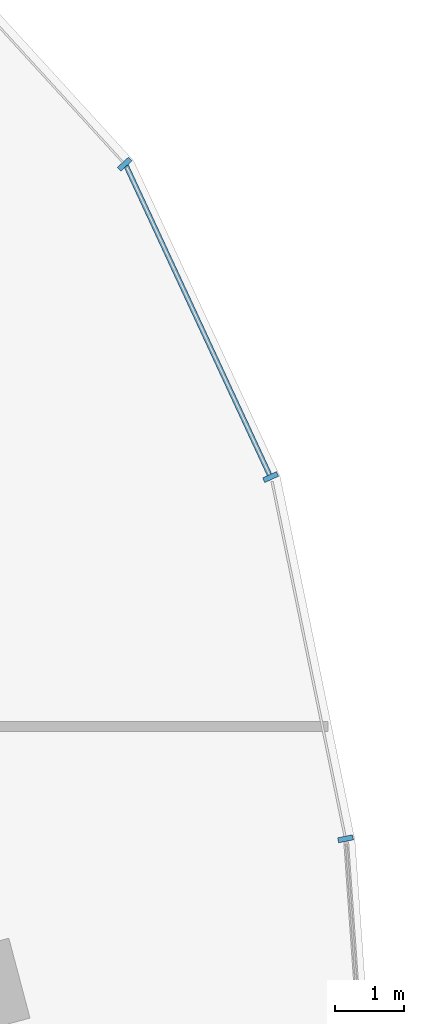
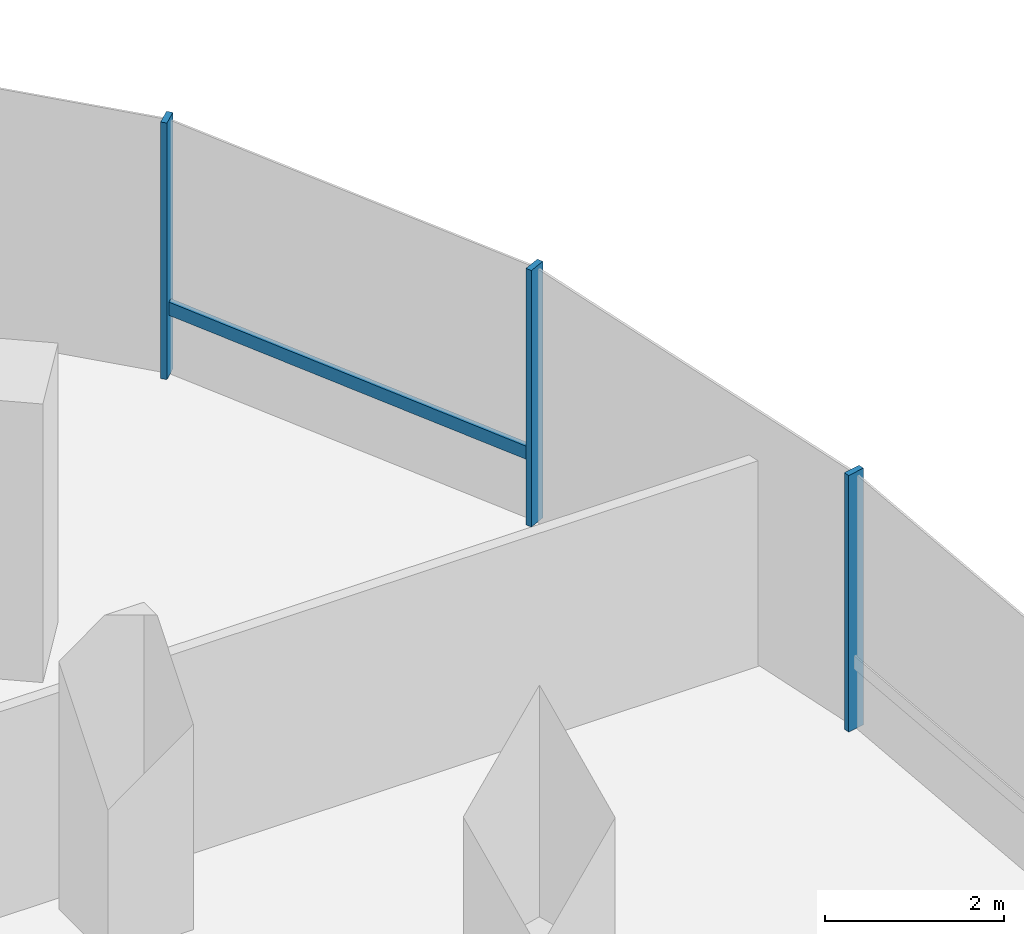
# One storey, part 8 of 21: 4 members, 1 element without a shape of its own.
"""IFC4 building model written with IfcOpenShell, lengths in metres."""

from ifc_helpers import new_model, si_unit, direction, frame, origin, origin_2d, place, context, subcontext, project, spatial, rectangle, extrude, material, material_profile, profile_set, type_object, element, aggregate, save


model = new_model("IFC4")

# Units and contexts
model_context = context("Model", 3, precision=1e-05, world=origin(), true_north=direction((0.0, 1.0)))
body_context = subcontext(model_context, "Body", "Model", "MODEL_VIEW")
ifc_project = project(units=[si_unit("LENGTHUNIT", "METRE"), si_unit("AREAUNIT", "SQUARE_METRE"), si_unit("VOLUMEUNIT", "CUBIC_METRE"), si_unit("PLANEANGLEUNIT", "RADIAN"), si_unit("MASSUNIT", "GRAM", prefix="KILO"), si_unit("THERMODYNAMICTEMPERATUREUNIT", "KELVIN"), si_unit("POWERUNIT", "WATT")], contexts=[model_context])

# Site, building, storey
site_placement = place(None, origin())
site = spatial("IfcSite", under=ifc_project, at=site_placement, CompositionType="ELEMENT")
building_placement = place(site_placement, origin())
building = spatial("IfcBuilding", under=site, at=building_placement, Name="Cundina Bronze Exchange", CompositionType="ELEMENT")
storey_placement = place(building_placement, frame((0.0, 0.0, 54.39990234375)))
storey = spatial("IfcBuildingStorey", under=building, at=storey_placement, Name="L13", CompositionType="ELEMENT", Elevation=54.39990234375)

# Curtain wall, members
ifc_material = material(Name="Anodised Bronze Aluminium 6063-T6", Category="aluminium")
curtain_wall_type = type_object("IfcCurtainWallType", Name="CWS-TRD-LOW", PredefinedType="NOTDEFINED", material=ifc_material)
curtain_wall_placement = place(storey_placement, origin())
curtain_wall = element("IfcCurtainWall", 1, at=curtain_wall_placement, inside=storey, type_object=curtain_wall_type, Name="L13 CW-02 Curtain Wall Run CWR-L13-E1", PredefinedType="NOTDEFINED")
ifc_material_profile_1 = material_profile(ifc_material, rectangle(XDim=0.074951171875, YDim=0.219970703125, at=origin_2d()), Name="AL75X220", Category="aluminium")
ifc_profile_set_1 = profile_set([ifc_material_profile_1], Name="Anodised Bronze Aluminium 6063-T6")
member_type_1 = type_object("IfcMemberType", Name="CWM-MUL-220", PredefinedType="MULLION", material=ifc_profile_set_1)
member_1_placement = place(storey_placement, frame((50.717041015625, 8.67822265625, 0.0), z_axis=(0.0, 0.0, 1.0), x_axis=(-0.201419845156, 0.979505000486, 0.0)))
member_1 = element("IfcMember", 2, at=member_1_placement, type_object=member_type_1, Name="CW-02 Mullion 2", PredefinedType="MULLION", context=body_context, shape_type="SweptSolid", body=[
    extrude(rectangle(XDim=0.074951171875, YDim=0.219970703125, at=origin_2d()), origin(), (0.0, 0.0, 1.0), 3.5),
])
member_2_placement = place(storey_placement, frame((49.6279296875, 13.931884765625, 0.0), z_axis=(0.0, 0.0, 1.0), x_axis=(-0.42087749791, 0.907117485088, 0.0)))
member_2 = element("IfcMember", 3, at=member_2_placement, type_object=member_type_1, Name="CW-02 Mullion 3", PredefinedType="MULLION", context=body_context, shape_type="SweptSolid", body=[
    extrude(rectangle(XDim=0.074951171875, YDim=0.219970703125, at=origin_2d()), origin(), (0.0, 0.0, 1.0), 3.5),
])
member_3_placement = place(storey_placement, frame((47.508544921875, 18.47705078125, 0.0), z_axis=(0.0, 0.0, 1.0), x_axis=(-0.674302387584, 0.738455340626, 0.0)))
member_3 = element("IfcMember", 4, at=member_3_placement, type_object=member_type_1, Name="CW-02 Mullion 4", PredefinedType="MULLION", context=body_context, shape_type="SweptSolid", body=[
    extrude(rectangle(XDim=0.074951171875, YDim=0.219970703125, at=origin_2d()), origin(), (0.0, 0.0, 1.0), 3.5),
])
ifc_material_profile_2 = material_profile(ifc_material, rectangle(XDim=0.070068359375, YDim=0.179931640625, at=origin_2d()), Name="AL70X180", Category="aluminium")
ifc_profile_set_2 = profile_set([ifc_material_profile_2], Name="Anodised Bronze Aluminium 6063-T6")
member_type_2 = type_object("IfcMemberType", Name="CWM-TRN-180", PredefinedType="USERDEFINED", material=ifc_profile_set_2)
member_4_placement = place(storey_placement, frame((49.610595703125, 13.96923828125, 0.920166015625), z_axis=(-0.420811422796, 0.907148139195, 0.0), x_axis=(-0.907148139195, -0.420811422796, 0.0)))
member_4 = element("IfcMember", 5, at=member_4_placement, type_object=member_type_2, Name="CW-02 Spandrel Transom 3", ObjectType="TRANSOM", PredefinedType="USERDEFINED", context=body_context, shape_type="SweptSolid", body=[
    extrude(rectangle(XDim=0.070068359375, YDim=0.179931640625, at=origin_2d()), origin(), (0.0, 0.0, 1.0), 4.95166015625),
])
aggregate(curtain_wall, [member_1, member_2, member_4, member_3])

save(model, "model.ifc")
